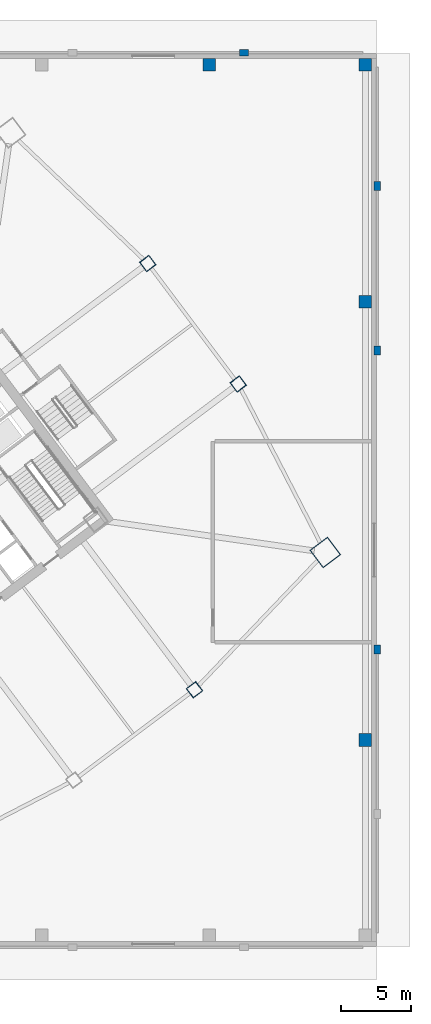
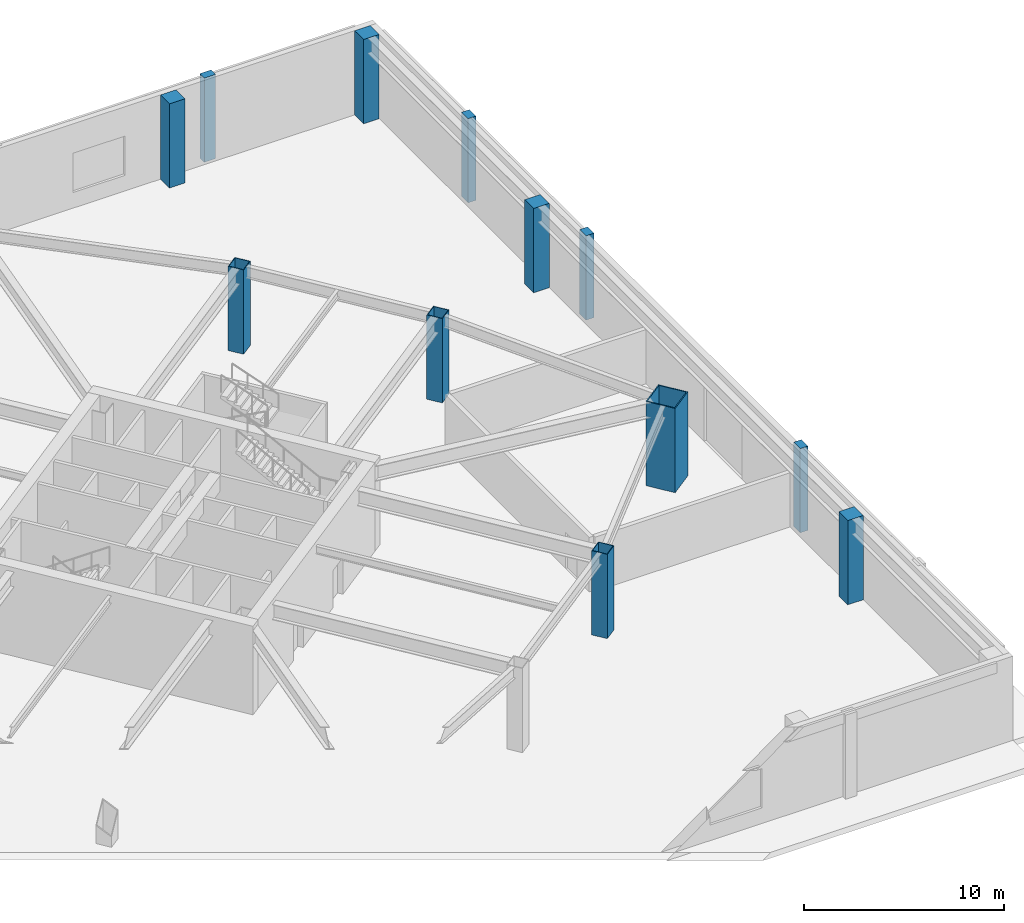
# One storey, part 4 of 26: 12 columns.
"""IFC4 building model written with IfcOpenShell, lengths in metres."""

from ifc_helpers import new_model, si_unit, direction, frame, origin, origin_2d, place, context, subcontext, project, spatial, rectangle, hollow_rectangle, extrude, material, material_profile, profile_set, type_object, element, save


model = new_model("IFC4")

# Units and contexts
model_context = context("Model", 3, precision=1e-05, world=origin(), true_north=direction((0.0, 1.0)))
body_context = subcontext(model_context, "Body", "Model", "MODEL_VIEW")
ifc_project = project(units=[si_unit("LENGTHUNIT", "METRE"), si_unit("AREAUNIT", "SQUARE_METRE"), si_unit("VOLUMEUNIT", "CUBIC_METRE"), si_unit("PLANEANGLEUNIT", "RADIAN"), si_unit("MASSUNIT", "GRAM", prefix="KILO")], contexts=[model_context])

# Site, building, storey
site_placement = place(None, origin())
site = spatial("IfcSite", under=ifc_project, at=site_placement, CompositionType="ELEMENT")
building_placement = place(site_placement, origin())
building = spatial("IfcBuilding", under=site, at=building_placement, Name="Tashvorn Skyway Center", CompositionType="ELEMENT")
storey_placement = place(building_placement, origin())
storey = spatial("IfcBuildingStorey", under=building, at=storey_placement, Name="L00", CompositionType="ELEMENT", Elevation=0.0)

# Columns
ifc_material_1 = material(Name="Steel ASTM A572 Grade 50", Category="steel")
ifc_material_profile_1 = material_profile(ifc_material_1, hollow_rectangle(XDim=1.60009765625, YDim=1.60009765625, WallThickness=0.06005859375, at=origin_2d()), Name="BOX1600x1600x60")
ifc_profile_set_1 = profile_set([ifc_material_profile_1], Name="Steel ASTM A572 Grade 50")
column_type_1 = type_object("IfcColumnType", Name="COL-BOX1600x1600x60", PredefinedType="COLUMN", material=ifc_profile_set_1)
column_placement = place(storey_placement, frame((140.320068359375, 28.239990234375, 0.0), z_axis=(0.0, 0.0, 1.0), x_axis=(0.799999996291, 0.600000004945, 0.0)))
element("IfcColumn", 1, at=column_placement, inside=storey, type_object=column_type_1, Name="Tower 2 L00 Mega-Column MC-SE", PredefinedType="COLUMN", context=body_context, shape_type="SweptSolid", body=[
    extrude(hollow_rectangle(XDim=1.60009765625, YDim=1.60009765625, WallThickness=0.06005859375, at=origin_2d()), origin(), (0.0, 0.0, 1.0), 5.139892578125),
])
ifc_material_profile_2 = material_profile(ifc_material_1, hollow_rectangle(XDim=0.85009765625, YDim=0.85009765625, WallThickness=0.034912109375, at=origin_2d()), Name="BOX850x850x35")
ifc_profile_set_2 = profile_set([ifc_material_profile_2], Name="Steel ASTM A572 Grade 50")
column_type_2 = type_object("IfcColumnType", Name="COL-BOX850x850x35", PredefinedType="COLUMN", material=ifc_profile_set_2)
for number, where, z_axis, x_axis, name in (
    (2, (130.949951171875, 18.39990234375, 0.0), (0.0, 0.0, 1.0), (0.799999996291, 0.600000004945, 0.0), "Tower 2 L00 Perimeter Column FC-S2"),
    (3, (134.080078125, 40.31005859375, 0.0), (0.0, 0.0, 1.0), (0.799999996291, 0.600000004945, 0.0), "Tower 2 L00 Perimeter Column FC-E1"),
    (4, (127.60009765625, 48.949951171875, 0.0), (0.0, 0.0, 1.0), (0.799999996291, 0.600000004945, 0.0), "Tower 2 L00 Perimeter Column FC-E2"),
):
    element("IfcColumn", number, at=place(storey_placement, frame(where, z_axis=z_axis, x_axis=x_axis)), inside=storey, type_object=column_type_2, Name=name, PredefinedType="COLUMN", context=body_context, shape_type="SweptSolid", body=[
        extrude(hollow_rectangle(XDim=0.85009765625, YDim=0.85009765625, WallThickness=0.034912109375, at=origin_2d()), origin(), (0.0, 0.0, 1.0), 5.139892578125),
    ])
ifc_material_2 = material(Name="Concrete C50/60", Category="concrete")
ifc_material_profile_3 = material_profile(ifc_material_2, rectangle(XDim=0.89990234375, YDim=0.89990234375, at=origin_2d()), Name="RC900x900")
ifc_profile_set_3 = profile_set([ifc_material_profile_3], Name="Concrete C50/60")
column_type_3 = type_object("IfcColumnType", Name="COL-RC900x900", PredefinedType="COLUMN", material=ifc_profile_set_3)
for number, where, z_axis, x_axis, name in (
    (5, (132.0, 63.199951171875, 0.0), (0.0, 0.0, 1.0), (1.0, 0.0, 0.0), "L00 Podium Column PC-09-2"),
    (6, (143.199951171875, 63.199951171875, 0.0), (0.0, 0.0, 1.0), (1.0, 0.0, 0.0), "L00 Podium Column PC-10-2"),
    (7, (143.199951171875, 14.800048828125, 0.0), (0.0, 0.0, 1.0), (1.0, 0.0, 0.0), "L00 Podium Column PIC-06-1"),
    (8, (143.199951171875, 46.199951171875, 0.0), (0.0, 0.0, 1.0), (1.0, 0.0, 0.0), "L00 Podium Column PIC-06-2"),
):
    element("IfcColumn", number, at=place(storey_placement, frame(where, z_axis=z_axis, x_axis=x_axis)), inside=storey, type_object=column_type_3, Name=name, PredefinedType="COLUMN", context=body_context, shape_type="SweptSolid", body=[
        extrude(rectangle(XDim=0.89990234375, YDim=0.89990234375, at=origin_2d()), origin(), (0.0, 0.0, 1.0), 5.139892578125),
    ])
ifc_material_3 = material(Name="Precast concrete C40/50", Category="concrete")
ifc_material_profile_4 = material_profile(ifc_material_3, rectangle(XDim=0.64990234375, YDim=0.449951171875, at=origin_2d()), Name="RCPIL650x450")
ifc_profile_set_4 = profile_set([ifc_material_profile_4], Name="Precast concrete C40/50")
column_type_4 = type_object("IfcColumnType", Name="PIL-RCPIL650x450", PredefinedType="PILASTER", material=ifc_profile_set_4)
for number, where, z_axis, x_axis, name in (
    (9, (134.5, 64.050048828125, 0.0), (0.0, 0.0, 1.0), (1.0, 0.0, 0.0), "L00 North Terracotta Colonnade Pilaster 9"),
    (10, (144.050048828125, 21.300048828125, 0.0), (0.0, 0.0, 1.0), (0.0, 1.0, 0.0), "L00 East Terracotta Colonnade Pilaster 2"),
    (11, (144.050048828125, 42.699951171875, 0.0), (0.0, 0.0, 1.0), (0.0, 1.0, 0.0), "L00 East Terracotta Colonnade Pilaster 3"),
    (12, (144.050048828125, 54.5, 0.0), (0.0, 0.0, 1.0), (0.0, 1.0, 0.0), "L00 East Terracotta Colonnade Pilaster 4"),
):
    element("IfcColumn", number, at=place(storey_placement, frame(where, z_axis=z_axis, x_axis=x_axis)), inside=storey, type_object=column_type_4, Name=name, PredefinedType="PILASTER", context=body_context, shape_type="SweptSolid", body=[
        extrude(rectangle(XDim=0.64990234375, YDim=0.449951171875, at=origin_2d()), origin(), (0.0, 0.0, 1.0), 5.139892578125),
    ])

save(model, "model.ifc")
